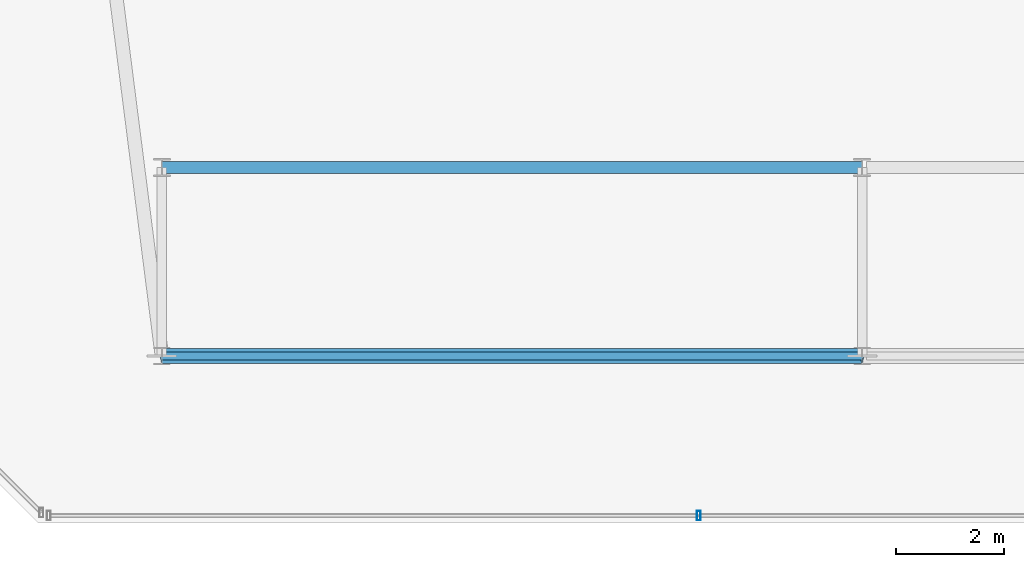
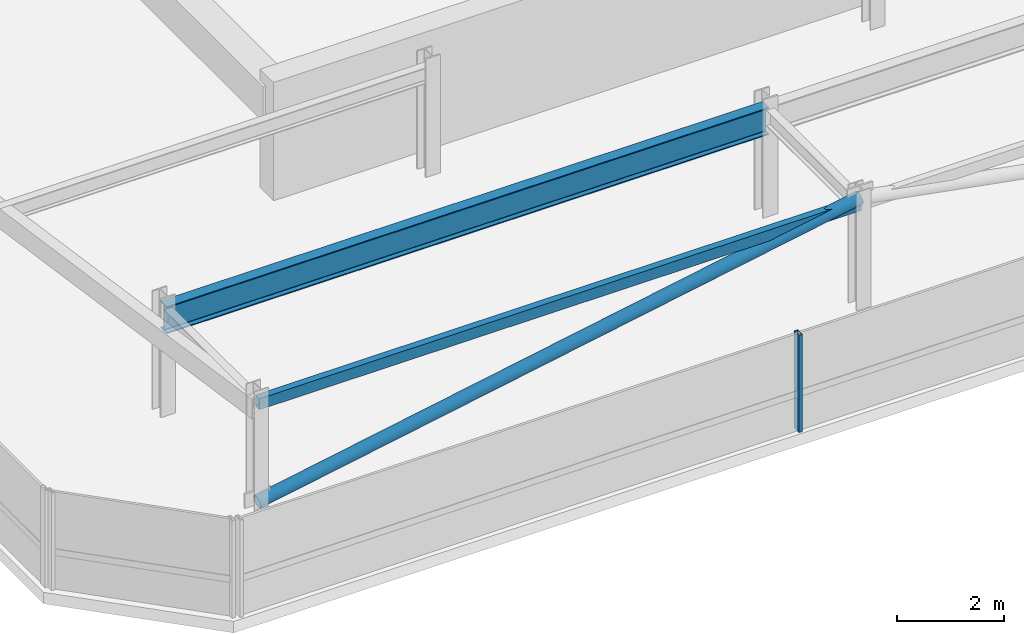
# One storey, part 8 of 42: 2 beams, 2 members, 1 element without a shape of its own.
"""IFC4 building model written with IfcOpenShell, lengths in metres."""

from ifc_helpers import new_model, si_unit, direction, frame, origin, origin_2d, place, context, subcontext, project, spatial, hollow_rectangle, hollow_circle, i_section, extrude, material, material_profile, profile_set, type_object, element, aggregate, save


model = new_model("IFC4")

# Units and contexts
model_context = context("Model", 3, precision=1e-05, world=origin(), true_north=direction((0.0, 1.0)))
body_context = subcontext(model_context, "Body", "Model", "MODEL_VIEW")
ifc_project = project(units=[si_unit("LENGTHUNIT", "METRE"), si_unit("AREAUNIT", "SQUARE_METRE"), si_unit("VOLUMEUNIT", "CUBIC_METRE"), si_unit("PLANEANGLEUNIT", "RADIAN"), si_unit("MASSUNIT", "GRAM", prefix="KILO")], contexts=[model_context])

# Site, building, storey
site_placement = place(None, origin())
site = spatial("IfcSite", under=ifc_project, at=site_placement, CompositionType="ELEMENT")
building_placement = place(site_placement, origin())
building = spatial("IfcBuilding", under=site, at=building_placement, Name="Thornwick Lancets Civic Towers", CompositionType="ELEMENT")
storey_placement = place(building_placement, frame((0.0, 0.0, 286.800048828125)))
storey = spatial("IfcBuildingStorey", under=building, at=storey_placement, Name="C03", CompositionType="ELEMENT", Elevation=286.800048828125)

# Beams
ifc_material_1 = material(Name="Steel S355JR", Category="steel")
ifc_material_profile_1 = material_profile(ifc_material_1, hollow_rectangle(XDim=0.14990234375, YDim=0.25, WallThickness=0.012451171875, at=origin_2d()), Name="RHS 250x150x12.5")
ifc_profile_set_1 = profile_set([ifc_material_profile_1], Name="Steel S355JR")
beam_type_1 = type_object("IfcBeamType", Name="BM_CROWN_RHS250", PredefinedType="BEAM", material=ifc_profile_set_1)
beam_1_placement = place(storey_placement, frame((12.5, 6.199951171875, 2.31494140625), z_axis=(1.0, 0.0, 0.0), x_axis=(0.0, 1.0, 0.0)))
element("IfcBeam", 1, at=beam_1_placement, inside=storey, type_object=beam_type_1, Name="BM-EDGE-C03-A-S0-1", PredefinedType="BEAM", context=body_context, shape_type="SweptSolid", body=[
    extrude(hollow_rectangle(XDim=0.14990234375, YDim=0.25, WallThickness=0.012451171875, at=origin_2d()), origin(), (0.0, 0.0, 1.0), 13.0),
])
ifc_material_profile_2 = material_profile(ifc_material_1, i_section(OverallWidth=0.230224609375, OverallDepth=0.6171875, WebThickness=0.01318359375, FlangeThickness=0.022216796875, FilletRadius=0.0126953125, at=origin_2d()), Name="UKB 610x229x140")
ifc_profile_set_2 = profile_set([ifc_material_profile_2], Name="Steel S355JR")
beam_type_2 = type_object("IfcBeamType", Name="BM_GIRD_610_140", PredefinedType="BEAM", material=ifc_profile_set_2)
beam_2_placement = place(storey_placement, frame((12.5, 9.699951171875, 2.13134765625), z_axis=(1.0, 0.0, 0.0), x_axis=(0.0, 1.0, 0.0)))
element("IfcBeam", 2, at=beam_2_placement, inside=storey, type_object=beam_type_2, Name="BM-SPINE-C03-A-0-1", PredefinedType="BEAM", context=body_context, shape_type="SweptSolid", body=[
    extrude(i_section(OverallWidth=0.230224609375, OverallDepth=0.6171875, WebThickness=0.01318359375, FlangeThickness=0.022216796875, FilletRadius=0.0126953125, at=origin_2d()), origin(), (0.0, 0.0, 1.0), 13.0),
])

# Curtain wall, member
ifc_material_2 = material(Name="Crown ring acoustic-louvre and glazing screen wall", Category="glass")
curtain_wall_type = type_object("IfcCurtainWallType", Name="CW_SYS_07", PredefinedType="NOTDEFINED", material=ifc_material_2)
curtain_wall_placement = place(storey_placement, origin())
curtain_wall = element("IfcCurtainWall", 3, at=curtain_wall_placement, inside=storey, type_object=curtain_wall_type, Name="C03 Curtain Wall CW-C03-A-E0", PredefinedType="NOTDEFINED")
ifc_material_3 = material(Name="Thermally broken bronze aluminium S355", Category="steel")
ifc_material_profile_3 = material_profile(ifc_material_3, hollow_rectangle(XDim=0.074951171875, YDim=0.179931640625, WallThickness=0.006103515625, at=origin_2d()), Name="RHS 180x75x6")
ifc_profile_set_3 = profile_set([ifc_material_profile_3], Name="Thermally broken bronze aluminium S355")
member_type_1 = type_object("IfcMemberType", Name="CW_MUL_180", PredefinedType="MULLION", material=ifc_profile_set_3)
member_1_placement = place(storey_placement, frame((22.46630859375, 3.2353515625, 0.0), z_axis=(0.0, 0.0, 1.0), x_axis=(1.0, 0.0, 0.0)))
member_1 = element("IfcMember", 4, at=member_1_placement, type_object=member_type_1, Name="CW-C03-A-E0 Mullion 1", PredefinedType="MULLION", context=body_context, shape_type="SweptSolid", body=[
    extrude(hollow_rectangle(XDim=0.074951171875, YDim=0.179931640625, WallThickness=0.006103515625, at=origin_2d()), origin(), (0.0, 0.0, 1.0), 2.219970703125),
])
aggregate(curtain_wall, [member_1])

# Member
ifc_material_profile_4 = material_profile(ifc_material_1, hollow_circle(Radius=0.136474609375, WallThickness=0.012451171875, at=origin_2d()), Name="CHS 273x12.5")
ifc_profile_set_4 = profile_set([ifc_material_profile_4], Name="Steel S355JR")
member_type_2 = type_object("IfcMemberType", Name="MEM_CROWN_CHS273", PredefinedType="BRACE", material=ifc_profile_set_4)
member_2_placement = place(storey_placement, frame((12.5, 6.199951171875, 0.050048828125), z_axis=(0.98351842104, 0.0, 0.180807951915), x_axis=(0.0, 1.0, 0.0)))
element("IfcMember", 5, at=member_2_placement, inside=storey, type_object=member_type_2, Name="C03 Crown Ring Lancet Rib A-S0-L", PredefinedType="BRACE", context=body_context, shape_type="SweptSolid", body=[
    extrude(hollow_circle(Radius=0.136474609375, WallThickness=0.012451171875, at=origin_2d()), origin(), (0.0, 0.0, 1.0), 13.2177734375),
])

save(model, "model.ifc")
